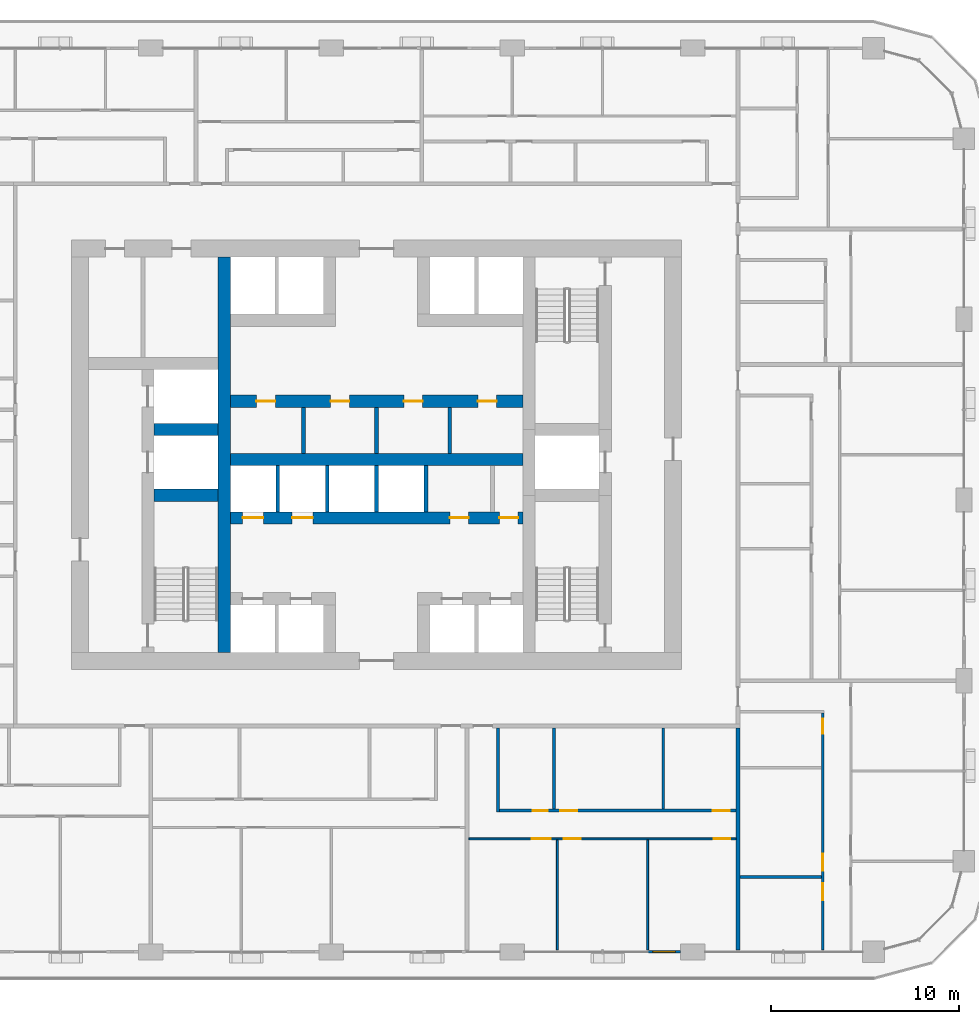
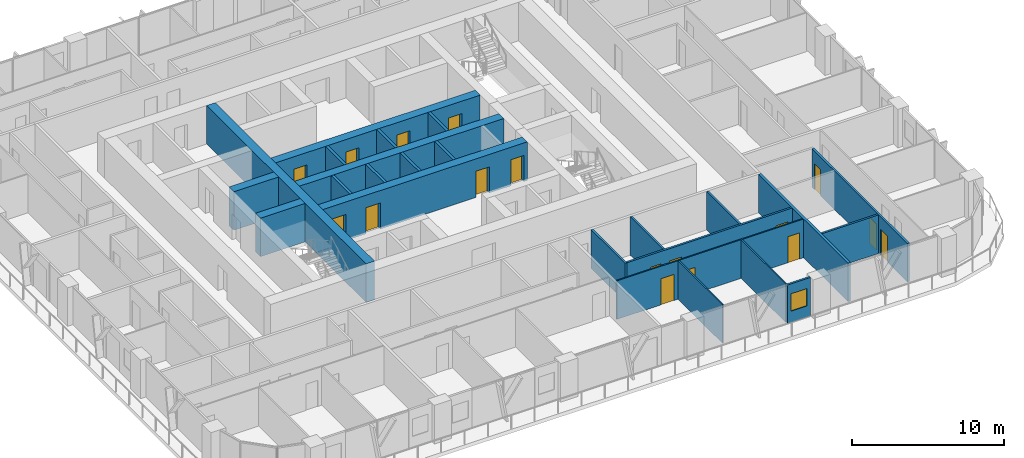
# One storey, part 11 of 21: 24 walls, 17 doors, 1 window, 18 openings.
"""IFC4 building model written with IfcOpenShell, lengths in metres."""

import ifcopenshell
import ifcopenshell.guid

model = None  # the IFC model being written
_history = None  # IfcOwnerHistory: only IFC2X3 demands one
_inside = {}  # id of a spatial element -> (the spatial element, [elements in it])
_under = {}  # id of a project, library or spatial element -> (it, [spatial elements below it])
_declared = {}  # id of a project -> (the project, [libraries it declares])
_typed = {}  # id of a type object -> (the type object, [elements of that type])
_made_of = {}  # id of a material, layer set ... -> (it, [elements and type objects made of it])


def new_model(schema):
    """Start an empty IFC model of exactly this schema.

    Asked for "IFC4X3", IfcOpenShell would pick the latest addendum, in which some entities
    have other attributes; the version numbers below select the first issue.
    IFC2X3 requires an IfcOwnerHistory on every rooted entity: one is made here for all.
    """
    global model, _history
    if schema == "IFC4X3":
        model = ifcopenshell.file(schema_version=(4, 3, 0, 0))
    else:
        model = ifcopenshell.file(schema=schema)
    _inside.clear()
    _under.clear()
    _declared.clear()
    _typed.clear()
    _made_of.clear()
    _history = None
    if model.schema == "IFC2X3":
        org = make("IfcOrganization", Name="unknown")
        user = make(
            "IfcPersonAndOrganization",
            ThePerson=make("IfcPerson", FamilyName="unknown"),
            TheOrganization=org,
        )
        app = make(
            "IfcApplication",
            ApplicationDeveloper=org,
            Version="unknown",
            ApplicationFullName="unknown",
            ApplicationIdentifier="unknown",
        )
        _history = make(
            "IfcOwnerHistory",
            OwningUser=user,
            OwningApplication=app,
            ChangeAction="ADDED",
            CreationDate=0,
        )
    return model


def make(cls, **values):
    """One entity of the class cls with the attributes given. An attribute that is None is left unset."""
    return model.create_entity(
        cls, **{name: value for name, value in values.items() if value is not None}
    )


def rooted(cls, **values):
    """An entity with a GlobalId (a new one), such as an element, a storey or a relation."""
    return make(cls, GlobalId=ifcopenshell.guid.new(), OwnerHistory=_history, **values)


def si_unit(unit_type, name, prefix=None):
    """IfcSIUnit, for example si_unit("LENGTHUNIT", "METRE", prefix="MILLI")."""
    return make("IfcSIUnit", UnitType=unit_type, Prefix=prefix, Name=name)


def assignment(units):
    """IfcUnitAssignment: the units of a project."""
    return None if units is None else make("IfcUnitAssignment", Units=units)


def point(xyz):
    """IfcCartesianPoint."""
    return None if xyz is None else make("IfcCartesianPoint", Coordinates=xyz)


def direction(xyz):
    """IfcDirection."""
    return None if xyz is None else make("IfcDirection", DirectionRatios=xyz)


def frame(location, z_axis=None, x_axis=None):
    """IfcAxis2Placement3D, a coordinate frame: its origin and axes. An axis left out is left unset."""
    return make(
        "IfcAxis2Placement3D",
        Location=point(location),
        Axis=direction(z_axis),
        RefDirection=direction(x_axis),
    )


def frame_2d(location, x_axis=None):
    """IfcAxis2Placement2D, a coordinate frame in the plane: its origin and x axis."""
    return make(
        "IfcAxis2Placement2D", Location=point(location), RefDirection=direction(x_axis)
    )


def origin():
    """The frame at (0, 0, 0) with its axes left unset."""
    return frame((0.0, 0.0, 0.0))


def place(relative_to, where):
    """IfcLocalPlacement: puts the frame where relative to a parent placement (None: the world)."""
    return make(
        "IfcLocalPlacement", PlacementRelTo=relative_to, RelativePlacement=where
    )


def context(
    kind, dimensions, precision=None, world=None, true_north=None, identifier=None
):
    """IfcGeometricRepresentationContext, for example the 3D "Model" context."""
    return make(
        "IfcGeometricRepresentationContext",
        ContextIdentifier=identifier,
        ContextType=kind,
        CoordinateSpaceDimension=dimensions,
        Precision=precision,
        WorldCoordinateSystem=world,
        TrueNorth=true_north,
    )


def subcontext(parent, identifier, kind, view, scale=None):
    """IfcGeometricRepresentationSubContext, for example "Body" below "Model"."""
    return make(
        "IfcGeometricRepresentationSubContext",
        ContextIdentifier=identifier,
        ContextType=kind,
        ParentContext=parent,
        TargetScale=scale,
        TargetView=view,
    )


def project(units=None, contexts=None):
    """IfcProject with its units and contexts."""
    return rooted(
        "IfcProject",
        Name="project",
        RepresentationContexts=contexts,
        UnitsInContext=assignment(units),
    )


def spatial(cls, under=None, at=None, **own):
    """A site, building, storey or space (cls), placed at a placement, below another one or the project."""
    s = rooted(cls, ObjectPlacement=at, **own)
    if under is not None:
        _under.setdefault(under.id(), (under, []))[1].append(s)
    return s


def profile(cls, at=None, kind="AREA", **sizes):
    """A parametric profile (cls). Its sizes go by their IFC names, for example OverallWidth=200.0."""
    return make(cls, ProfileType=kind, Position=at, **sizes)


def rectangle(**sizes):
    """IfcRectangleProfileDef."""
    return profile("IfcRectangleProfileDef", **sizes)


def extrude(swept, where, along, depth):
    """IfcExtrudedAreaSolid: the profile swept, set in the frame where, extruded along a direction by depth."""
    return make(
        "IfcExtrudedAreaSolid",
        SweptArea=swept,
        Position=where,
        ExtrudedDirection=direction(along),
        Depth=depth,
    )


def shape(context_of_items, identifier, shape_type, items):
    """IfcShapeRepresentation: the items that make up one representation, for example the "Body"."""
    return make(
        "IfcShapeRepresentation",
        ContextOfItems=context_of_items,
        RepresentationIdentifier=identifier,
        RepresentationType=shape_type,
        Items=items,
    )


def material(Name=None, Category=None):
    """IfcMaterial."""
    return make("IfcMaterial", Name=Name, Category=Category)


def layer(
    of_material, thickness, ventilated=None, Name=None, Category=None, Priority=None
):
    """IfcMaterialLayer: one layer of a wall or slab, of a material (None: an air gap)."""
    return make(
        "IfcMaterialLayer",
        Material=of_material,
        LayerThickness=thickness,
        IsVentilated=ventilated,
        Name=Name,
        Category=Category,
        Priority=Priority,
    )


def layer_set(layers, Name=None):
    """IfcMaterialLayerSet."""
    return make("IfcMaterialLayerSet", MaterialLayers=layers, LayerSetName=Name)


def made_of(thing, what):
    """Note that an element or type object is made of a material, layer set ...; save() writes the relation."""
    if what is not None:
        _made_of.setdefault(what.id(), (what, []))[1].append(thing)
    return thing


def type_object(cls, material=None, **own):
    """A type object (cls), such as IfcWallType, which elements share."""
    return made_of(rooted(cls, **own), material)


def element(
    cls,
    number,
    at=None,
    inside=None,
    cuts=None,
    type_object=None,
    material=None,
    context=None,
    identifier="Body",
    shape_type=None,
    held_by="IfcProductDefinitionShape",
    body=None,
    shapes=None,
    **own,
):
    """One element of the class cls, such as IfcWall. Its Tag is "e" and its number.

    at: its placement. inside: the storey or other place that contains it. cuts: it is an
    opening in that element (IfcRelVoidsElement). A single representation is given by context,
    identifier, shape_type and body (its items); several are given by shapes. held_by: the class
    of the entity that holds the representations. save() writes the other relations.
    """
    e = rooted(cls, Tag="e%d" % number, ObjectPlacement=at, **own)
    if body is not None:
        shapes = [shape(context, identifier, shape_type, body)]
    if shapes is not None:
        e.Representation = make(held_by, Representations=shapes)
    if inside is not None:
        _inside.setdefault(inside.id(), (inside, []))[1].append(e)
    if cuts is not None:
        rooted(
            "IfcRelVoidsElement", RelatingBuildingElement=cuts, RelatedOpeningElement=e
        )
    if type_object is not None:
        _typed.setdefault(type_object.id(), (type_object, []))[1].append(e)
    return made_of(e, material)


def fill(opening, filler):
    """IfcRelFillsElement: the door or window that sits in an opening."""
    return rooted(
        "IfcRelFillsElement",
        RelatingOpeningElement=opening,
        RelatedBuildingElement=filler,
    )


def aggregate(whole, parts):
    """IfcRelAggregates: a whole, such as a stair, and the parts it consists of."""
    return rooted("IfcRelAggregates", RelatingObject=whole, RelatedObjects=parts)


def save(model, path):
    """Write the relations noted so far, then the file.

    IfcRelAggregates (storeys below a building ...), IfcRelContainedInSpatialStructure (elements
    in a storey), IfcRelDefinesByType, IfcRelAssociatesMaterial and IfcRelDeclares: one each for
    every whole, place, type object, material and project.
    """
    for whole, parts in _under.values():
        aggregate(whole, parts)
    for where, things in _inside.values():
        rooted(
            "IfcRelContainedInSpatialStructure",
            RelatedElements=things,
            RelatingStructure=where,
        )
    for kind, things in _typed.values():
        rooted("IfcRelDefinesByType", RelatedObjects=things, RelatingType=kind)
    for what, things in _made_of.values():
        rooted("IfcRelAssociatesMaterial", RelatedObjects=things, RelatingMaterial=what)
    for by, libraries in _declared.values():
        rooted("IfcRelDeclares", RelatingContext=by, RelatedDefinitions=libraries)
    model.write(path)


model = new_model("IFC4")

# Units and contexts
model_context = context("Model", 3, precision=1e-05, world=origin(), true_north=direction((0.0, 1.0)))
body_context = subcontext(model_context, "Body", "Model", "MODEL_VIEW")
ifc_project = project(units=[si_unit("LENGTHUNIT", "METRE"), si_unit("AREAUNIT", "SQUARE_METRE"), si_unit("VOLUMEUNIT", "CUBIC_METRE"), si_unit("PLANEANGLEUNIT", "RADIAN"), si_unit("MASSUNIT", "GRAM", prefix="KILO")], contexts=[model_context])

# Site, building, storey
site_placement = place(None, origin())
site = spatial("IfcSite", under=ifc_project, at=site_placement, CompositionType="ELEMENT")
building_placement = place(site_placement, origin())
building = spatial("IfcBuilding", under=site, at=building_placement, Name="Madar Terraces", CompositionType="ELEMENT")
storey_placement = place(building_placement, frame((0.0, 0.0, 80.300048828125)))
storey = spatial("IfcBuildingStorey", under=building, at=storey_placement, Name="L20", CompositionType="ELEMENT", Elevation=80.300048828125)

# Walls
ifc_material_1 = material(Name="Concrete C80/95", Category="concrete")
ifc_layer_1 = layer(ifc_material_1, 0.64990234375)
ifc_layer_set_1 = layer_set([ifc_layer_1], Name="Concrete C80/95 (CIW2 RC wall 650)")
wall_type_1 = type_object("IfcWallType", Name="CIW2 RC wall 650", PredefinedType="SHEAR", material=ifc_layer_set_1)
wall_1_placement = place(storey_placement, frame((23.10009765625, 15.89990234375, 0.0), z_axis=(0.0, 0.0, 1.0), x_axis=(0.0, 1.0, 0.0)))
element("IfcWall", 1, at=wall_1_placement, inside=storey, type_object=wall_type_1, Name="CORE SHAFT WALL", PredefinedType="SHEAR", context=body_context, shape_type="SweptSolid", body=[
    extrude(rectangle(XDim=21.0, YDim=0.64990234375, at=frame_2d((10.5, 0.0))), origin(), (0.0, 0.0, 1.0), 3.099853515625),
])
for number, where, z_axis, x_axis, name in (
    (2, (19.375, 24.25, 0.0), (0.0, 0.0, 1.0), (1.0, 0.0, 0.0), "CORE SHAFT WALL"),
    (3, (19.375, 27.75, 0.0), (0.0, 0.0, 1.0), (1.0, 0.0, 0.0), "CORE SHAFT WALL"),
):
    element("IfcWall", number, at=place(storey_placement, frame(where, z_axis=z_axis, x_axis=x_axis)), inside=storey, type_object=wall_type_1, Name=name, PredefinedType="SHEAR", context=body_context, shape_type="SweptSolid", body=[
        extrude(rectangle(XDim=3.39990234375, YDim=0.64990234375, at=frame_2d((1.699951171875, 0.0))), origin(), (0.0, 0.0, 1.0), 3.099853515625),
    ])

# Wall, openings, doors
wall_2_placement = place(storey_placement, frame((23.425048828125, 23.050048828125, 0.0), z_axis=(0.0, 0.0, 1.0), x_axis=(1.0, 0.0, 0.0)))
wall_2 = element("IfcWall", 4, at=wall_2_placement, inside=storey, type_object=wall_type_1, Name="CORE SHAFT WALL", PredefinedType="SHEAR", context=body_context, shape_type="SweptSolid", body=[
    extrude(rectangle(XDim=15.550048828125, YDim=0.64990234375, at=frame_2d((7.77490234375, 0.0))), origin(), (0.0, 0.0, 1.0), 3.099853515625),
])
opening_1_placement = place(wall_2_placement, frame((0.66259765625, 0.0, 0.0)))
opening_1 = element("IfcOpeningElement", 5, at=opening_1_placement, cuts=wall_2, Name="Opening LD", PredefinedType="OPENING", context=body_context, shape_type="SweptSolid", body=[
    extrude(rectangle(XDim=1.10009765625, YDim=2.10009765625, at=frame_2d((0.550048828125, 1.050048828125))), frame((0.0, 0.3349609375, 0.0), z_axis=(0.0, -1.0, 0.0), x_axis=(1.0, 0.0, 0.0)), (0.0, 0.0, 1.0), 0.669921875),
])
opening_2_placement = place(wall_2_placement, frame((3.28759765625, 0.0, 0.0)))
opening_2 = element("IfcOpeningElement", 6, at=opening_2_placement, cuts=wall_2, Name="Opening LD", PredefinedType="OPENING", context=body_context, shape_type="SweptSolid", body=[
    extrude(rectangle(XDim=1.10009765625, YDim=2.10009765625, at=frame_2d((0.550048828125, 1.050048828125))), frame((0.0, 0.3349609375, 0.0), z_axis=(0.0, -1.0, 0.0), x_axis=(1.0, 0.0, 0.0)), (0.0, 0.0, 1.0), 0.669921875),
])
opening_3_placement = place(wall_2_placement, frame((11.6669921875, 0.0, 0.0)))
opening_3 = element("IfcOpeningElement", 7, at=opening_3_placement, cuts=wall_2, Name="Opening KD2", PredefinedType="OPENING", context=body_context, shape_type="SweptSolid", body=[
    extrude(rectangle(XDim=1.0, YDim=2.10009765625, at=frame_2d((0.5, 1.050048828125))), frame((0.0, 0.3349609375, 0.0), z_axis=(0.0, -1.0, 0.0), x_axis=(1.0, 0.0, 0.0)), (0.0, 0.0, 1.0), 0.669921875),
])
opening_4_placement = place(wall_2_placement, frame((14.2919921875, 0.0, 0.0)))
opening_4 = element("IfcOpeningElement", 8, at=opening_4_placement, cuts=wall_2, Name="Opening KD2", PredefinedType="OPENING", context=body_context, shape_type="SweptSolid", body=[
    extrude(rectangle(XDim=1.0, YDim=2.10009765625, at=frame_2d((0.5, 1.050048828125))), frame((0.0, 0.3349609375, 0.0), z_axis=(0.0, -1.0, 0.0), x_axis=(1.0, 0.0, 0.0)), (0.0, 0.0, 1.0), 0.669921875),
])
ifc_material_2 = material(Name="Stainless steel panel", Category="steel")
door_type_1 = type_object("IfcDoorType", Name="Lift landing door 1100 x 2100", OperationType="DOUBLE_DOOR_SLIDING", PredefinedType="DOOR", material=ifc_material_2)
door_1_placement = place(opening_1_placement, origin())
door_1 = element("IfcDoor", 9, at=door_1_placement, inside=storey, type_object=door_type_1, Name="LIFT LANDING DOOR", OperationType="DOUBLE_DOOR_SLIDING", OverallHeight=2.10009765625, OverallWidth=1.10009765625, PredefinedType="DOOR", context=body_context, shape_type="SweptSolid", body=[
    extrude(rectangle(XDim=1.10009765625, YDim=2.10009765625, at=frame_2d((0.550048828125, 1.050048828125))), frame((0.0, 0.02490234375, 0.0), z_axis=(0.0, -1.0, 0.0), x_axis=(1.0, 0.0, 0.0)), (0.0, 0.0, 1.0), 0.050048828125),
])
fill(opening_1, door_1)
door_2_placement = place(opening_2_placement, origin())
door_2 = element("IfcDoor", 10, at=door_2_placement, inside=storey, type_object=door_type_1, Name="LIFT LANDING DOOR", OperationType="DOUBLE_DOOR_SLIDING", OverallHeight=2.10009765625, OverallWidth=1.10009765625, PredefinedType="DOOR", context=body_context, shape_type="SweptSolid", body=[
    extrude(rectangle(XDim=1.10009765625, YDim=2.10009765625, at=frame_2d((0.550048828125, 1.050048828125))), frame((0.0, 0.02490234375, 0.0), z_axis=(0.0, -1.0, 0.0), x_axis=(1.0, 0.0, 0.0)), (0.0, 0.0, 1.0), 0.050048828125),
])
fill(opening_2, door_2)
ifc_material_3 = material(Name="Steel door leaf", Category="steel")
door_type_2 = type_object("IfcDoorType", Name="Service room door 1000 x 2100", OperationType="NOTDEFINED", PredefinedType="DOOR", material=ifc_material_3)
door_3_placement = place(opening_3_placement, frame((1.0, 0.0, 0.0), z_axis=(0.0, 0.0, 1.0), x_axis=(-1.0, 0.0, 0.0)))
door_3 = element("IfcDoor", 11, at=door_3_placement, inside=storey, type_object=door_type_2, Name="SERVICE ROOM DOOR", OperationType="SINGLE_SWING_LEFT", OverallHeight=2.10009765625, OverallWidth=1.0, PredefinedType="DOOR", context=body_context, shape_type="SweptSolid", body=[
    extrude(rectangle(XDim=1.0, YDim=2.10009765625, at=frame_2d((0.5, 1.050048828125))), frame((0.0, 0.02490234375, 0.0), z_axis=(0.0, -1.0, 0.0), x_axis=(1.0, 0.0, 0.0)), (0.0, 0.0, 1.0), 0.050048828125),
])
fill(opening_3, door_3)
door_4_placement = place(opening_4_placement, frame((1.0, 0.0, 0.0), z_axis=(0.0, 0.0, 1.0), x_axis=(-1.0, 0.0, 0.0)))
door_4 = element("IfcDoor", 12, at=door_4_placement, inside=storey, type_object=door_type_2, Name="SERVICE ROOM DOOR", OperationType="SINGLE_SWING_RIGHT", OverallHeight=2.10009765625, OverallWidth=1.0, PredefinedType="DOOR", context=body_context, shape_type="SweptSolid", body=[
    extrude(rectangle(XDim=1.0, YDim=2.10009765625, at=frame_2d((0.5, 1.050048828125))), frame((0.0, 0.02490234375, 0.0), z_axis=(0.0, -1.0, 0.0), x_axis=(1.0, 0.0, 0.0)), (0.0, 0.0, 1.0), 0.050048828125),
])
fill(opening_4, door_4)

# Wall
wall_3_placement = place(storey_placement, frame((23.425048828125, 26.14990234375, 0.0), z_axis=(0.0, 0.0, 1.0), x_axis=(1.0, 0.0, 0.0)))
element("IfcWall", 13, at=wall_3_placement, inside=storey, type_object=wall_type_1, Name="CORE SHAFT WALL", PredefinedType="SHEAR", context=body_context, shape_type="SweptSolid", body=[
    extrude(rectangle(XDim=15.550048828125, YDim=0.64990234375, at=frame_2d((7.77490234375, 0.0))), origin(), (0.0, 0.0, 1.0), 3.099853515625),
])

# Wall, openings, doors
wall_4_placement = place(storey_placement, frame((23.425048828125, 29.25, 0.0), z_axis=(0.0, 0.0, 1.0), x_axis=(1.0, 0.0, 0.0)))
wall_4 = element("IfcWall", 14, at=wall_4_placement, inside=storey, type_object=wall_type_1, Name="CORE SHAFT WALL", PredefinedType="SHEAR", context=body_context, shape_type="SweptSolid", body=[
    extrude(rectangle(XDim=15.550048828125, YDim=0.64990234375, at=frame_2d((7.77490234375, 0.0))), origin(), (0.0, 0.0, 1.0), 3.099853515625),
])
opening_5_placement = place(wall_4_placement, frame((1.393798828125, 0.0, 0.0)))
opening_5 = element("IfcOpeningElement", 15, at=opening_5_placement, cuts=wall_4, Name="Opening KD2", PredefinedType="OPENING", context=body_context, shape_type="SweptSolid", body=[
    extrude(rectangle(XDim=1.0, YDim=2.10009765625, at=frame_2d((0.5, 1.050048828125))), frame((0.0, 0.3349609375, 0.0), z_axis=(0.0, -1.0, 0.0), x_axis=(1.0, 0.0, 0.0)), (0.0, 0.0, 1.0), 0.669921875),
])
opening_6_placement = place(wall_4_placement, frame((5.331298828125, 0.0, 0.0)))
opening_6 = element("IfcOpeningElement", 16, at=opening_6_placement, cuts=wall_4, Name="Opening KD2", PredefinedType="OPENING", context=body_context, shape_type="SweptSolid", body=[
    extrude(rectangle(XDim=1.0, YDim=2.10009765625, at=frame_2d((0.5, 1.050048828125))), frame((0.0, 0.3349609375, 0.0), z_axis=(0.0, -1.0, 0.0), x_axis=(1.0, 0.0, 0.0)), (0.0, 0.0, 1.0), 0.669921875),
])
opening_7_placement = place(wall_4_placement, frame((9.21875, 0.0, 0.0)))
opening_7 = element("IfcOpeningElement", 17, at=opening_7_placement, cuts=wall_4, Name="Opening KD2", PredefinedType="OPENING", context=body_context, shape_type="SweptSolid", body=[
    extrude(rectangle(XDim=1.0, YDim=2.10009765625, at=frame_2d((0.5, 1.050048828125))), frame((0.0, 0.3349609375, 0.0), z_axis=(0.0, -1.0, 0.0), x_axis=(1.0, 0.0, 0.0)), (0.0, 0.0, 1.0), 0.669921875),
])
opening_8_placement = place(wall_4_placement, frame((13.15625, 0.0, 0.0)))
opening_8 = element("IfcOpeningElement", 18, at=opening_8_placement, cuts=wall_4, Name="Opening KD2", PredefinedType="OPENING", context=body_context, shape_type="SweptSolid", body=[
    extrude(rectangle(XDim=1.0, YDim=2.10009765625, at=frame_2d((0.5, 1.050048828125))), frame((0.0, 0.3349609375, 0.0), z_axis=(0.0, -1.0, 0.0), x_axis=(1.0, 0.0, 0.0)), (0.0, 0.0, 1.0), 0.669921875),
])
door_5_placement = place(opening_5_placement, origin())
door_5 = element("IfcDoor", 19, at=door_5_placement, inside=storey, type_object=door_type_2, Name="SERVICE ROOM DOOR", OperationType="SINGLE_SWING_LEFT", OverallHeight=2.10009765625, OverallWidth=1.0, PredefinedType="DOOR", context=body_context, shape_type="SweptSolid", body=[
    extrude(rectangle(XDim=1.0, YDim=2.10009765625, at=frame_2d((0.5, 1.050048828125))), frame((0.0, 0.02490234375, 0.0), z_axis=(0.0, -1.0, 0.0), x_axis=(1.0, 0.0, 0.0)), (0.0, 0.0, 1.0), 0.050048828125),
])
fill(opening_5, door_5)
door_6_placement = place(opening_6_placement, origin())
door_6 = element("IfcDoor", 20, at=door_6_placement, inside=storey, type_object=door_type_2, Name="SERVICE ROOM DOOR", OperationType="SINGLE_SWING_RIGHT", OverallHeight=2.10009765625, OverallWidth=1.0, PredefinedType="DOOR", context=body_context, shape_type="SweptSolid", body=[
    extrude(rectangle(XDim=1.0, YDim=2.10009765625, at=frame_2d((0.5, 1.050048828125))), frame((0.0, 0.02490234375, 0.0), z_axis=(0.0, -1.0, 0.0), x_axis=(1.0, 0.0, 0.0)), (0.0, 0.0, 1.0), 0.050048828125),
])
fill(opening_6, door_6)
door_7_placement = place(opening_7_placement, origin())
door_7 = element("IfcDoor", 21, at=door_7_placement, inside=storey, type_object=door_type_2, Name="SERVICE ROOM DOOR", OperationType="SINGLE_SWING_LEFT", OverallHeight=2.10009765625, OverallWidth=1.0, PredefinedType="DOOR", context=body_context, shape_type="SweptSolid", body=[
    extrude(rectangle(XDim=1.0, YDim=2.10009765625, at=frame_2d((0.5, 1.050048828125))), frame((0.0, 0.02490234375, 0.0), z_axis=(0.0, -1.0, 0.0), x_axis=(1.0, 0.0, 0.0)), (0.0, 0.0, 1.0), 0.050048828125),
])
fill(opening_7, door_7)
door_8_placement = place(opening_8_placement, origin())
door_8 = element("IfcDoor", 22, at=door_8_placement, inside=storey, type_object=door_type_2, Name="SERVICE ROOM DOOR", OperationType="SINGLE_SWING_RIGHT", OverallHeight=2.10009765625, OverallWidth=1.0, PredefinedType="DOOR", context=body_context, shape_type="SweptSolid", body=[
    extrude(rectangle(XDim=1.0, YDim=2.10009765625, at=frame_2d((0.5, 1.050048828125))), frame((0.0, 0.02490234375, 0.0), z_axis=(0.0, -1.0, 0.0), x_axis=(1.0, 0.0, 0.0)), (0.0, 0.0, 1.0), 0.050048828125),
])
fill(opening_8, door_8)

# Walls
ifc_material_4 = material(Name="Masonry blockwork", Category="masonry")
ifc_layer_2 = layer(ifc_material_4, 0.199951171875)
ifc_layer_set_2 = layer_set([ifc_layer_2], Name="Core partition 200 blockwork")
wall_type_2 = type_object("IfcWallType", Name="Core partition 200 blockwork", PredefinedType="PARTITIONING", material=ifc_layer_set_2)
for number, where, z_axis, x_axis, name in (
    (23, (27.3125, 26.47509765625, 0.0), (0.0, 0.0, 1.0), (0.0, 1.0, 0.0), "SERVICE ROOM PARTITION"),
    (24, (31.199951171875, 26.47509765625, 0.0), (0.0, 0.0, 1.0), (0.0, 1.0, 0.0), "SERVICE ROOM PARTITION"),
    (25, (35.08740234375, 26.47509765625, 0.0), (0.0, 0.0, 1.0), (0.0, 1.0, 0.0), "SERVICE ROOM PARTITION"),
):
    element("IfcWall", number, at=place(storey_placement, frame(where, z_axis=z_axis, x_axis=x_axis)), inside=storey, type_object=wall_type_2, Name=name, PredefinedType="PARTITIONING", context=body_context, shape_type="SweptSolid", body=[
        extrude(rectangle(XDim=2.449951171875, YDim=0.199951171875, at=frame_2d((1.22509765625, 0.0))), origin(), (0.0, 0.0, 1.0), 3.099853515625),
    ])
ifc_material_5 = material(Name="Concrete C40/50", Category="concrete")
ifc_layer_3 = layer(ifc_material_5, 0.199951171875)
ifc_layer_set_3 = layer_set([ifc_layer_3], Name="Core shaft dividing wall 200 C40/50")
wall_type_3 = type_object("IfcWallType", Name="Core shaft dividing wall 200 C40/50", PredefinedType="SOLIDWALL", material=ifc_layer_set_3)
for number, where, z_axis, x_axis, name in (
    (26, (25.949951171875, 23.375, 0.0), (0.0, 0.0, 1.0), (0.0, 1.0, 0.0), "SHAFT DIVIDING WALL"),
    (27, (28.574951171875, 23.375, 0.0), (0.0, 0.0, 1.0), (0.0, 1.0, 0.0), "SHAFT DIVIDING WALL"),
    (28, (31.199951171875, 23.375, 0.0), (0.0, 0.0, 1.0), (0.0, 1.0, 0.0), "SHAFT DIVIDING WALL"),
    (29, (33.824951171875, 23.375, 0.0), (0.0, 0.0, 1.0), (0.0, 1.0, 0.0), "SHAFT DIVIDING WALL"),
):
    element("IfcWall", number, at=place(storey_placement, frame(where, z_axis=z_axis, x_axis=x_axis)), inside=storey, type_object=wall_type_3, Name=name, PredefinedType="SOLIDWALL", context=body_context, shape_type="SweptSolid", body=[
        extrude(rectangle(XDim=2.449951171875, YDim=0.199951171875, at=frame_2d((1.22509765625, 0.0))), origin(), (0.0, 0.0, 1.0), 3.099853515625),
    ])

# Wall, opening, window
ifc_material_6 = material(Name="Aluminium composite panel, black, over insulated backing", Category="aluminium")
ifc_layer_4 = layer(ifc_material_6, 0.14990234375)
ifc_layer_set_4 = layer_set([ifc_layer_4], Name="Facade bay panel 150")
wall_type_4 = type_object("IfcWallType", Name="Facade bay panel 150", PredefinedType="SOLIDWALL", material=ifc_layer_set_4)
wall_5_placement = place(storey_placement, frame((45.60009765625, 0.0, 0.0), z_axis=(0.0, 0.0, 1.0), x_axis=(1.0, 0.0, 0.0)))
wall_5 = element("IfcWall", 30, at=wall_5_placement, inside=storey, type_object=wall_type_4, Name="Facade bay panel", PredefinedType="SOLIDWALL", context=body_context, shape_type="SweptSolid", body=[
    extrude(rectangle(XDim=1.75, YDim=0.14990234375, at=frame_2d((0.875, 0.0))), origin(), (0.0, 0.0, 1.0), 3.099853515625),
])
opening_9_placement = place(wall_5_placement, frame((0.27490234375, 0.0, 0.89990234375)))
opening_9 = element("IfcOpeningElement", 31, at=opening_9_placement, cuts=wall_5, Name="Opening W1", PredefinedType="OPENING", context=body_context, shape_type="SweptSolid", body=[
    extrude(rectangle(XDim=1.199951171875, YDim=1.39990234375, at=frame_2d((0.60009765625, 0.699951171875))), frame((0.0, 0.0849609375, 0.0), z_axis=(0.0, -1.0, 0.0), x_axis=(1.0, 0.0, 0.0)), (0.0, 0.0, 1.0), 0.169921875),
])
ifc_material_7 = material(Name="Glass, clear, with black aluminium frame", Category="aluminium")
window_type = type_object("IfcWindowType", Name="Vent window 1200 x 1400", PartitioningType="SINGLE_PANEL", PredefinedType="WINDOW", material=ifc_material_7)
window_placement = place(opening_9_placement, origin())
window = element("IfcWindow", 32, at=window_placement, inside=storey, type_object=window_type, Name="Operable vent window", OverallHeight=1.39990234375, OverallWidth=1.199951171875, PartitioningType="SINGLE_PANEL", PredefinedType="WINDOW", context=body_context, shape_type="SweptSolid", body=[
    extrude(rectangle(XDim=1.199951171875, YDim=1.39990234375, at=frame_2d((0.60009765625, 0.699951171875))), frame((0.0, 0.030029296875, 0.0), z_axis=(0.0, -1.0, 0.0), x_axis=(1.0, 0.0, 0.0)), (0.0, 0.0, 1.0), 0.06005859375),
])
fill(opening_9, window)

# Walls
ifc_material_8 = material(Name="Gypsum board on steel studs", Category="steel")
ifc_layer_5 = layer(ifc_material_8, 0.10009765625)
ifc_layer_set_5 = layer_set([ifc_layer_5], Name="Flat partition 100")
wall_type_5 = type_object("IfcWallType", Name="Flat partition 100", PredefinedType="PARTITIONING", material=ifc_layer_set_5)
for number, where, z_axis, x_axis, name in (
    (33, (40.800048828125, 5.949951171875, 0.0), (0.0, 0.0, 1.0), (0.0, -1.0, 0.0), "Flat partition 100"),
    (34, (45.60009765625, 5.949951171875, 0.0), (0.0, 0.0, 1.0), (0.0, -1.0, 0.0), "Flat partition 100"),
):
    element("IfcWall", number, at=place(storey_placement, frame(where, z_axis=z_axis, x_axis=x_axis)), inside=storey, type_object=wall_type_5, Name=name, PredefinedType="PARTITIONING", context=body_context, shape_type="SweptSolid", body=[
        extrude(rectangle(XDim=5.849853515625, YDim=0.10009765625, at=frame_2d((2.9248046875, 0.0))), origin(), (0.0, 0.0, 1.0), 3.099853515625),
    ])

# Wall, openings, doors
wall_6_placement = place(storey_placement, frame((50.300048828125, 6.0, 0.0), z_axis=(0.0, 0.0, 1.0), x_axis=(-1.0, 0.0, 0.0)))
wall_6 = element("IfcWall", 35, at=wall_6_placement, inside=storey, type_object=wall_type_5, Name="Flat partition 100", PredefinedType="PARTITIONING", context=body_context, shape_type="SweptSolid", body=[
    extrude(rectangle(XDim=14.199951171875, YDim=0.10009765625, at=frame_2d((7.10009765625, 0.0))), origin(), (0.0, 0.0, 1.0), 3.099853515625),
])
opening_10_placement = place(wall_6_placement, frame((9.85009765625, 0.0, 0.0)))
opening_10 = element("IfcOpeningElement", 36, at=opening_10_placement, cuts=wall_6, Name="Opening D3", PredefinedType="OPENING", context=body_context, shape_type="SweptSolid", body=[
    extrude(rectangle(XDim=1.0, YDim=2.10009765625, at=frame_2d((0.5, 1.050048828125))), frame((0.0, 0.06005859375, 0.0), z_axis=(0.0, -1.0, 0.0), x_axis=(1.0, 0.0, 0.0)), (0.0, 0.0, 1.0), 0.1201171875),
])
opening_11_placement = place(wall_6_placement, frame((8.25, 0.0, 0.0)))
opening_11 = element("IfcOpeningElement", 37, at=opening_11_placement, cuts=wall_6, Name="Opening D2", PredefinedType="OPENING", context=body_context, shape_type="SweptSolid", body=[
    extrude(rectangle(XDim=0.89990234375, YDim=2.10009765625, at=frame_2d((0.449951171875, 1.050048828125))), frame((0.0, 0.06005859375, 0.0), z_axis=(0.0, -1.0, 0.0), x_axis=(1.0, 0.0, 0.0)), (0.0, 0.0, 1.0), 0.1201171875),
])
opening_12_placement = place(wall_6_placement, frame((0.300048828125, 0.0, 0.0)))
opening_12 = element("IfcOpeningElement", 38, at=opening_12_placement, cuts=wall_6, Name="Opening D2", PredefinedType="OPENING", context=body_context, shape_type="SweptSolid", body=[
    extrude(rectangle(XDim=0.89990234375, YDim=2.10009765625, at=frame_2d((0.449951171875, 1.050048828125))), frame((0.0, 0.06005859375, 0.0), z_axis=(0.0, -1.0, 0.0), x_axis=(1.0, 0.0, 0.0)), (0.0, 0.0, 1.0), 0.1201171875),
])
ifc_material_9 = material(Name="Timber door leaf", Category="wood")
door_type_3 = type_object("IfcDoorType", Name="Flat living room door 1000", OperationType="NOTDEFINED", PredefinedType="DOOR", material=ifc_material_9)
door_9_placement = place(opening_10_placement, origin())
door_9 = element("IfcDoor", 39, at=door_9_placement, inside=storey, type_object=door_type_3, Name="Flat living room door 1000", OperationType="SINGLE_SWING_LEFT", OverallHeight=2.10009765625, OverallWidth=1.0, PredefinedType="DOOR", context=body_context, shape_type="SweptSolid", body=[
    extrude(rectangle(XDim=1.0, YDim=2.10009765625, at=frame_2d((0.5, 1.050048828125))), frame((0.0, 0.02490234375, 0.0), z_axis=(0.0, -1.0, 0.0), x_axis=(1.0, 0.0, 0.0)), (0.0, 0.0, 1.0), 0.050048828125),
])
fill(opening_10, door_9)
ifc_material_10 = material(Name="Timber door leaf", Category="wood")
door_type_4 = type_object("IfcDoorType", Name="Flat room door 900", OperationType="NOTDEFINED", PredefinedType="DOOR", material=ifc_material_10)
door_10_placement = place(opening_11_placement, origin())
door_10 = element("IfcDoor", 40, at=door_10_placement, inside=storey, type_object=door_type_4, Name="Flat room door 900", OperationType="SINGLE_SWING_RIGHT", OverallHeight=2.10009765625, OverallWidth=0.89990234375, PredefinedType="DOOR", context=body_context, shape_type="SweptSolid", body=[
    extrude(rectangle(XDim=0.89990234375, YDim=2.10009765625, at=frame_2d((0.449951171875, 1.050048828125))), frame((0.0, 0.02490234375, 0.0), z_axis=(0.0, -1.0, 0.0), x_axis=(1.0, 0.0, 0.0)), (0.0, 0.0, 1.0), 0.050048828125),
])
fill(opening_11, door_10)
door_11_placement = place(opening_12_placement, origin())
door_11 = element("IfcDoor", 41, at=door_11_placement, inside=storey, type_object=door_type_4, Name="Flat room door 900", OperationType="SINGLE_SWING_LEFT", OverallHeight=2.10009765625, OverallWidth=0.89990234375, PredefinedType="DOOR", context=body_context, shape_type="SweptSolid", body=[
    extrude(rectangle(XDim=0.89990234375, YDim=2.10009765625, at=frame_2d((0.449951171875, 1.050048828125))), frame((0.0, 0.02490234375, 0.0), z_axis=(0.0, -1.0, 0.0), x_axis=(1.0, 0.0, 0.0)), (0.0, 0.0, 1.0), 0.050048828125),
])
fill(opening_12, door_11)

# Walls
ifc_material_11 = material(Name="Lightweight blockwork", Category="masonry")
ifc_layer_6 = layer(ifc_material_11, 0.199951171875)
ifc_layer_set_6 = layer_set([ifc_layer_6], Name="Flat party and entrance wall 200")
wall_type_6 = type_object("IfcWallType", Name="Flat party and entrance wall 200", PredefinedType="PARTITIONING", material=ifc_layer_set_6)
wall_7_placement = place(storey_placement, frame((50.39990234375, 11.89990234375, 0.0), z_axis=(0.0, 0.0, 1.0), x_axis=(0.0, -1.0, 0.0)))
element("IfcWall", 42, at=wall_7_placement, inside=storey, type_object=wall_type_6, Name="Flat party and entrance wall 200", PredefinedType="PARTITIONING", context=body_context, shape_type="SweptSolid", body=[
    extrude(rectangle(XDim=11.7998046875, YDim=0.199951171875, at=frame_2d((5.89990234375, 0.0))), origin(), (0.0, 0.0, 1.0), 3.099853515625),
])
ifc_material_12 = material(Name="Lightweight blockwork", Category="masonry")
ifc_layer_7 = layer(ifc_material_12, 0.14990234375)
ifc_layer_set_7 = layer_set([ifc_layer_7], Name="Flat wet-room partition 150")
wall_type_7 = type_object("IfcWallType", Name="Flat wet-room partition 150", PredefinedType="PARTITIONING", material=ifc_layer_set_7)
for number, where, z_axis, x_axis, name in (
    (43, (40.626953125, 11.89990234375, 0.0), (0.0, 0.0, 1.0), (0.0, -1.0, 0.0), "Flat wet-room partition 150"),
    (44, (46.4306640625, 11.89990234375, 0.0), (0.0, 0.0, 1.0), (0.0, -1.0, 0.0), "Flat wet-room partition 150"),
):
    element("IfcWall", number, at=place(storey_placement, frame(where, z_axis=z_axis, x_axis=x_axis)), inside=storey, type_object=wall_type_7, Name=name, PredefinedType="PARTITIONING", context=body_context, shape_type="SweptSolid", body=[
        extrude(rectangle(XDim=4.324951171875, YDim=0.14990234375, at=frame_2d((2.16259765625, 0.0))), origin(), (0.0, 0.0, 1.0), 3.099853515625),
    ])
wall_8_placement = place(storey_placement, frame((37.64990234375, 11.89990234375, 0.0), z_axis=(0.0, 0.0, 1.0), x_axis=(0.0, -1.0, 0.0)))
element("IfcWall", 45, at=wall_8_placement, inside=storey, type_object=wall_type_7, Name="Flat wet-room partition 150", PredefinedType="PARTITIONING", context=body_context, shape_type="SweptSolid", body=[
    extrude(rectangle(XDim=4.474853515625, YDim=0.14990234375, at=frame_2d((2.2373046875, 0.0))), origin(), (0.0, 0.0, 1.0), 3.099853515625),
])

# Wall, openings, doors
wall_9_placement = place(storey_placement, frame((37.72509765625, 7.5, 0.0), z_axis=(0.0, 0.0, 1.0), x_axis=(1.0, 0.0, 0.0)))
wall_9 = element("IfcWall", 46, at=wall_9_placement, inside=storey, type_object=wall_type_7, Name="Flat wet-room partition 150", PredefinedType="PARTITIONING", context=body_context, shape_type="SweptSolid", body=[
    extrude(rectangle(XDim=12.574951171875, YDim=0.14990234375, at=frame_2d((6.28759765625, 0.0))), origin(), (0.0, 0.0, 1.0), 3.099853515625),
])
opening_13_placement = place(wall_9_placement, frame((1.77685546875, 0.0, 0.0)))
opening_13 = element("IfcOpeningElement", 47, at=opening_13_placement, cuts=wall_9, Name="Opening D4", PredefinedType="OPENING", context=body_context, shape_type="SweptSolid", body=[
    extrude(rectangle(XDim=0.800048828125, YDim=2.10009765625, at=frame_2d((0.39990234375, 1.050048828125))), frame((0.0, 0.0849609375, 0.0), z_axis=(0.0, -1.0, 0.0), x_axis=(1.0, 0.0, 0.0)), (0.0, 0.0, 1.0), 0.169921875),
])
opening_14_placement = place(wall_9_placement, frame((3.226806640625, 0.0, 0.0)))
opening_14 = element("IfcOpeningElement", 48, at=opening_14_placement, cuts=wall_9, Name="Opening D2", PredefinedType="OPENING", context=body_context, shape_type="SweptSolid", body=[
    extrude(rectangle(XDim=0.89990234375, YDim=2.10009765625, at=frame_2d((0.449951171875, 1.050048828125))), frame((0.0, 0.0849609375, 0.0), z_axis=(0.0, -1.0, 0.0), x_axis=(1.0, 0.0, 0.0)), (0.0, 0.0, 1.0), 0.169921875),
])
opening_15_placement = place(wall_9_placement, frame((11.324951171875, 0.0, 0.0)))
opening_15 = element("IfcOpeningElement", 49, at=opening_15_placement, cuts=wall_9, Name="Opening D5", PredefinedType="OPENING", context=body_context, shape_type="SweptSolid", body=[
    extrude(rectangle(XDim=0.89990234375, YDim=2.10009765625, at=frame_2d((0.449951171875, 1.050048828125))), frame((0.0, 0.0849609375, 0.0), z_axis=(0.0, -1.0, 0.0), x_axis=(1.0, 0.0, 0.0)), (0.0, 0.0, 1.0), 0.169921875),
])
ifc_material_13 = material(Name="Timber door leaf", Category="wood")
door_type_5 = type_object("IfcDoorType", Name="Flat accessible bathroom door 900", OperationType="NOTDEFINED", PredefinedType="DOOR", material=ifc_material_13)
door_12_placement = place(opening_15_placement, origin())
door_12 = element("IfcDoor", 50, at=door_12_placement, inside=storey, type_object=door_type_5, Name="Flat accessible bathroom door 900", OperationType="SINGLE_SWING_RIGHT", OverallHeight=2.10009765625, OverallWidth=0.89990234375, PredefinedType="DOOR", context=body_context, shape_type="SweptSolid", body=[
    extrude(rectangle(XDim=0.89990234375, YDim=2.10009765625, at=frame_2d((0.449951171875, 1.050048828125))), frame((0.0, 0.02490234375, 0.0), z_axis=(0.0, -1.0, 0.0), x_axis=(1.0, 0.0, 0.0)), (0.0, 0.0, 1.0), 0.050048828125),
])
fill(opening_15, door_12)
ifc_material_14 = material(Name="Timber door leaf", Category="wood")
door_type_6 = type_object("IfcDoorType", Name="Flat bathroom door 800", OperationType="NOTDEFINED", PredefinedType="DOOR", material=ifc_material_14)
door_13_placement = place(opening_13_placement, origin())
door_13 = element("IfcDoor", 51, at=door_13_placement, inside=storey, type_object=door_type_6, Name="Flat bathroom door 800", OperationType="SINGLE_SWING_RIGHT", OverallHeight=2.10009765625, OverallWidth=0.800048828125, PredefinedType="DOOR", context=body_context, shape_type="SweptSolid", body=[
    extrude(rectangle(XDim=0.800048828125, YDim=2.10009765625, at=frame_2d((0.39990234375, 1.050048828125))), frame((0.0, 0.02490234375, 0.0), z_axis=(0.0, -1.0, 0.0), x_axis=(1.0, 0.0, 0.0)), (0.0, 0.0, 1.0), 0.050048828125),
])
fill(opening_13, door_13)
door_14_placement = place(opening_14_placement, origin())
door_14 = element("IfcDoor", 52, at=door_14_placement, inside=storey, type_object=door_type_4, Name="Flat room door 900", OperationType="SINGLE_SWING_LEFT", OverallHeight=2.10009765625, OverallWidth=0.89990234375, PredefinedType="DOOR", context=body_context, shape_type="SweptSolid", body=[
    extrude(rectangle(XDim=0.89990234375, YDim=2.10009765625, at=frame_2d((0.449951171875, 1.050048828125))), frame((0.0, 0.02490234375, 0.0), z_axis=(0.0, -1.0, 0.0), x_axis=(1.0, 0.0, 0.0)), (0.0, 0.0, 1.0), 0.050048828125),
])
fill(opening_14, door_14)

# Wall
wall_10_placement = place(storey_placement, frame((50.5, 3.96923828125, 0.0), z_axis=(0.0, 0.0, 1.0), x_axis=(1.0, 0.0, 0.0)))
element("IfcWall", 53, at=wall_10_placement, inside=storey, type_object=wall_type_7, Name="Flat wet-room partition 150", PredefinedType="PARTITIONING", context=body_context, shape_type="SweptSolid", body=[
    extrude(rectangle(XDim=4.324951171875, YDim=0.14990234375, at=frame_2d((2.16259765625, 0.0))), origin(), (0.0, 0.0, 1.0), 3.099853515625),
])

# Wall, openings, doors
wall_11_placement = place(storey_placement, frame((54.89990234375, 0.10009765625, 0.0), z_axis=(0.0, 0.0, 1.0), x_axis=(0.0, 1.0, 0.0)))
wall_11 = element("IfcWall", 54, at=wall_11_placement, inside=storey, type_object=wall_type_7, Name="Flat wet-room partition 150", PredefinedType="PARTITIONING", context=body_context, shape_type="SweptSolid", body=[
    extrude(rectangle(XDim=12.574951171875, YDim=0.14990234375, at=frame_2d((6.28759765625, 0.0))), origin(), (0.0, 0.0, 1.0), 3.099853515625),
])
opening_16_placement = place(wall_11_placement, frame((11.47509765625, 0.0, 0.0)))
opening_16 = element("IfcOpeningElement", 55, at=opening_16_placement, cuts=wall_11, Name="Opening D4", PredefinedType="OPENING", context=body_context, shape_type="SweptSolid", body=[
    extrude(rectangle(XDim=0.800048828125, YDim=2.10009765625, at=frame_2d((0.39990234375, 1.050048828125))), frame((0.0, 0.0849609375, 0.0), z_axis=(0.0, -1.0, 0.0), x_axis=(1.0, 0.0, 0.0)), (0.0, 0.0, 1.0), 0.169921875),
])
opening_17_placement = place(wall_11_placement, frame((4.1943359375, 0.0, 0.0)))
opening_17 = element("IfcOpeningElement", 56, at=opening_17_placement, cuts=wall_11, Name="Opening D2", PredefinedType="OPENING", context=body_context, shape_type="SweptSolid", body=[
    extrude(rectangle(XDim=0.89990234375, YDim=2.10009765625, at=frame_2d((0.449951171875, 1.050048828125))), frame((0.0, 0.0849609375, 0.0), z_axis=(0.0, -1.0, 0.0), x_axis=(1.0, 0.0, 0.0)), (0.0, 0.0, 1.0), 0.169921875),
])
opening_18_placement = place(wall_11_placement, frame((2.644287109375, 0.0, 0.0)))
opening_18 = element("IfcOpeningElement", 57, at=opening_18_placement, cuts=wall_11, Name="Opening D5", PredefinedType="OPENING", context=body_context, shape_type="SweptSolid", body=[
    extrude(rectangle(XDim=0.89990234375, YDim=2.10009765625, at=frame_2d((0.449951171875, 1.050048828125))), frame((0.0, 0.0849609375, 0.0), z_axis=(0.0, -1.0, 0.0), x_axis=(1.0, 0.0, 0.0)), (0.0, 0.0, 1.0), 0.169921875),
])
door_15_placement = place(opening_18_placement, origin())
door_15 = element("IfcDoor", 58, at=door_15_placement, inside=storey, type_object=door_type_5, Name="Flat accessible bathroom door 900", OperationType="SINGLE_SWING_RIGHT", OverallHeight=2.10009765625, OverallWidth=0.89990234375, PredefinedType="DOOR", context=body_context, shape_type="SweptSolid", body=[
    extrude(rectangle(XDim=0.89990234375, YDim=2.10009765625, at=frame_2d((0.449951171875, 1.050048828125))), frame((0.0, 0.02490234375, 0.0), z_axis=(0.0, -1.0, 0.0), x_axis=(1.0, 0.0, 0.0)), (0.0, 0.0, 1.0), 0.050048828125),
])
fill(opening_18, door_15)
door_16_placement = place(opening_16_placement, origin())
door_16 = element("IfcDoor", 59, at=door_16_placement, inside=storey, type_object=door_type_6, Name="Flat bathroom door 800", OperationType="SINGLE_SWING_RIGHT", OverallHeight=2.10009765625, OverallWidth=0.800048828125, PredefinedType="DOOR", context=body_context, shape_type="SweptSolid", body=[
    extrude(rectangle(XDim=0.800048828125, YDim=2.10009765625, at=frame_2d((0.39990234375, 1.050048828125))), frame((0.0, 0.02490234375, 0.0), z_axis=(0.0, -1.0, 0.0), x_axis=(1.0, 0.0, 0.0)), (0.0, 0.0, 1.0), 0.050048828125),
])
fill(opening_16, door_16)
door_17_placement = place(opening_17_placement, origin())
door_17 = element("IfcDoor", 60, at=door_17_placement, inside=storey, type_object=door_type_4, Name="Flat room door 900", OperationType="SINGLE_SWING_LEFT", OverallHeight=2.10009765625, OverallWidth=0.89990234375, PredefinedType="DOOR", context=body_context, shape_type="SweptSolid", body=[
    extrude(rectangle(XDim=0.89990234375, YDim=2.10009765625, at=frame_2d((0.449951171875, 1.050048828125))), frame((0.0, 0.02490234375, 0.0), z_axis=(0.0, -1.0, 0.0), x_axis=(1.0, 0.0, 0.0)), (0.0, 0.0, 1.0), 0.050048828125),
])
fill(opening_17, door_17)

save(model, "model.ifc")
